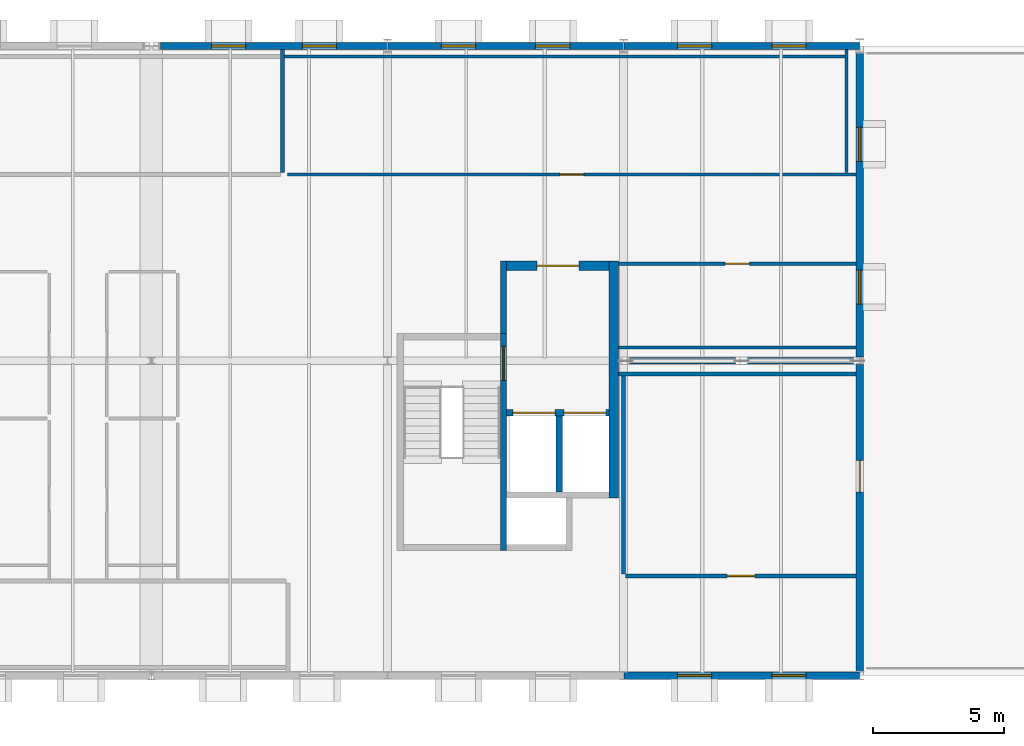
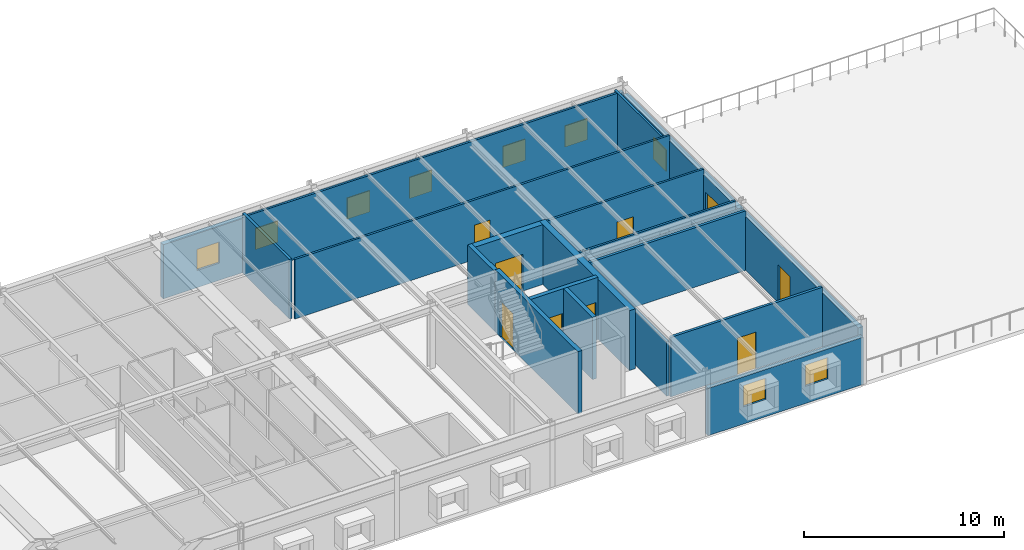
# One storey, part 14 of 17: 22 walls, 10 windows, 8 doors, 18 openings.
"""IFC4 building model written with IfcOpenShell, lengths in metres."""

from ifc_helpers import new_model, si_unit, direction, frame, frame_2d, origin, place, context, subcontext, project, spatial, rectangle, extrude, material, layer, layer_set, type_object, element, fill, save


model = new_model("IFC4")

# Units and contexts
model_context = context("Model", 3, precision=1e-05, world=origin(), true_north=direction((0.0, 1.0)))
body_context = subcontext(model_context, "Body", "Model", "MODEL_VIEW")
ifc_project = project(units=[si_unit("LENGTHUNIT", "METRE"), si_unit("AREAUNIT", "SQUARE_METRE"), si_unit("VOLUMEUNIT", "CUBIC_METRE"), si_unit("PLANEANGLEUNIT", "RADIAN"), si_unit("MASSUNIT", "GRAM", prefix="KILO")], contexts=[model_context])

# Site, building, storey
site_placement = place(None, origin())
site = spatial("IfcSite", under=ifc_project, at=site_placement, CompositionType="ELEMENT")
building_placement = place(site_placement, origin())
building = spatial("IfcBuilding", under=site, at=building_placement, Name="Montelvaro Courts of Justice", CompositionType="ELEMENT")
storey_placement = place(building_placement, frame((0.0, 0.0, 27.39990234375)))
storey = spatial("IfcBuildingStorey", under=building, at=storey_placement, Name="L06", CompositionType="ELEMENT", Elevation=27.39990234375)

# Wall
ifc_material_1 = material(Name="Gypsum board on metal stud")
ifc_layer_1 = layer(ifc_material_1, 0.14990234375)
ifc_layer_set_1 = layer_set([ifc_layer_1], Name="Gypsum board on metal stud")
wall_type_1 = type_object("IfcWallType", Name="ChambersPartition_150", PredefinedType="PARTITIONING", material=ifc_layer_set_1)
wall_1_placement = place(storey_placement, frame((104.0, 23.864990234375, 0.0), z_axis=(0.0, 0.0, 1.0), x_axis=(0.0, -1.0, 0.0)))
element("IfcWall", 1, at=wall_1_placement, inside=storey, type_object=wall_type_1, Name="Interior Partition IW-04 (L06)", PredefinedType="PARTITIONING", context=body_context, shape_type="SweptSolid", body=[
    extrude(rectangle(XDim=4.68505859375, YDim=0.14990234375, at=frame_2d((2.342529296875, 0.0))), origin(), (0.0, 0.0, 1.0), 3.64013671875),
])

# Wall, opening, door
wall_2_placement = place(storey_placement, frame((125.864990234375, 3.800048828125, 0.0), z_axis=(0.0, 0.0, 1.0), x_axis=(-1.0, 0.0, 0.0)))
wall_2 = element("IfcWall", 2, at=wall_2_placement, inside=storey, type_object=wall_type_1, Name="Interior Partition IW-04 (L06)", PredefinedType="PARTITIONING", context=body_context, shape_type="SweptSolid", body=[
    extrude(rectangle(XDim=8.784912109375, YDim=0.14990234375, at=frame_2d((4.392578125, 0.0))), origin(), (0.0, 0.0, 1.0), 3.64013671875),
])
opening_1_placement = place(wall_2_placement, frame((3.866943359375, 0.0, 0.0)))
opening_1 = element("IfcOpeningElement", 3, at=opening_1_placement, cuts=wall_2, Name="Opening D-L06-170", PredefinedType="OPENING", context=body_context, shape_type="SweptSolid", body=[
    extrude(rectangle(XDim=1.050048828125, YDim=2.25, at=frame_2d((0.52490234375, 1.125))), frame((0.0, 0.08984375, 0.0), z_axis=(0.0, -1.0, 0.0), x_axis=(1.0, 0.0, 0.0)), (0.0, 0.0, 1.0), 0.1796875),
])
ifc_material_2 = material(Name="Acoustic oak timber veneer", Category="wood")
door_type_1 = type_object("IfcDoorType", Name="ChamberDoor_105x225", OperationType="NOTDEFINED", PredefinedType="DOOR", material=ifc_material_2)
door_1_placement = place(opening_1_placement, origin())
door_1 = element("IfcDoor", 4, at=door_1_placement, inside=storey, type_object=door_type_1, Name="Interior Door D-L06-170 (East Sky Terrace Judicial Lounge L06)", OperationType="SINGLE_SWING_LEFT", OverallHeight=2.25, OverallWidth=1.050048828125, PredefinedType="DOOR", context=body_context, shape_type="SweptSolid", body=[
    extrude(rectangle(XDim=1.050048828125, YDim=2.25, at=frame_2d((0.52490234375, 1.125))), frame((0.0, 0.02490234375, 0.0), z_axis=(0.0, -1.0, 0.0), x_axis=(1.0, 0.0, 0.0)), (0.0, 0.0, 1.0), 0.050048828125),
])
fill(opening_1, door_1)

# Walls
wall_3_placement = place(storey_placement, frame((117.0, 3.8798828125, 0.0), z_axis=(0.0, 0.0, 1.0), x_axis=(0.0, 1.0, 0.0)))
element("IfcWall", 5, at=wall_3_placement, inside=storey, type_object=wall_type_1, Name="Interior Partition IW-04 (L06)", PredefinedType="PARTITIONING", context=body_context, shape_type="SweptSolid", body=[
    extrude(rectangle(XDim=7.5400390625, YDim=0.14990234375, at=frame_2d((3.77001953125, 0.0))), origin(), (0.0, 0.0, 1.0), 3.35498046875),
])
wall_4_placement = place(storey_placement, frame((116.794921875, 11.5, 0.0), z_axis=(0.0, 0.0, 1.0), x_axis=(1.0, 0.0, 0.0)))
element("IfcWall", 6, at=wall_4_placement, inside=storey, type_object=wall_type_1, Name="Interior Partition IW-04 (L06)", PredefinedType="PARTITIONING", context=body_context, shape_type="SweptSolid", body=[
    extrude(rectangle(XDim=9.070068359375, YDim=0.14990234375, at=frame_2d((4.53515625, 0.0))), origin(), (0.0, 0.0, 1.0), 3.64013671875),
])

# Wall, opening, door
ifc_material_3 = material(Name="Concrete C40/50", Category="concrete")
ifc_layer_2 = layer(ifc_material_3, 0.360107421875)
ifc_layer_set_2 = layer_set([ifc_layer_2], Name="Concrete C40/50")
wall_type_2 = type_object("IfcWallType", Name="CoreWall_360", PredefinedType="SHEAR", material=ifc_layer_set_2)
wall_5_placement = place(storey_placement, frame((112.5400390625, 15.6201171875, 0.0), z_axis=(0.0, 0.0, 1.0), x_axis=(1.0, 0.0, 0.0)))
wall_5 = element("IfcWall", 7, at=wall_5_placement, inside=storey, type_object=wall_type_2, Name="Core Shear Wall CW-01 K2-N (L06)", PredefinedType="SHEAR", context=body_context, shape_type="SweptSolid", body=[
    extrude(rectangle(XDim=3.89990234375, YDim=0.360107421875, at=frame_2d((1.949951171875, 0.0))), origin(), (0.0, 0.0, 1.0), 3.66015625),
])
opening_2_placement = place(wall_5_placement, frame((1.14990234375, 0.0, 0.0)))
opening_2 = element("IfcOpeningElement", 8, at=opening_2_placement, cuts=wall_5, Name="Opening DL-L06-K2", PredefinedType="OPENING", context=body_context, shape_type="SweptSolid", body=[
    extrude(rectangle(XDim=1.60009765625, YDim=2.25, at=frame_2d((0.800048828125, 1.125))), frame((0.0, 0.19482421875, 0.0), z_axis=(0.0, -1.0, 0.0), x_axis=(1.0, 0.0, 0.0)), (0.0, 0.0, 1.0), 0.389892578125),
])
ifc_material_4 = material(Name="Galvanised steel S355 security door", Category="steel")
door_type_2 = type_object("IfcDoorType", Name="LobbyFireDoor_160x225", OperationType="DOUBLE_DOOR_SINGLE_SWING", PredefinedType="DOOR", material=ifc_material_4)
door_2_placement = place(opening_2_placement, origin())
door_2 = element("IfcDoor", 9, at=door_2_placement, inside=storey, type_object=door_type_2, Name="Core Lobby Fire Door DL-L06-K2", OperationType="DOUBLE_DOOR_SINGLE_SWING", OverallHeight=2.25, OverallWidth=1.60009765625, PredefinedType="DOOR", context=body_context, shape_type="SweptSolid", body=[
    extrude(rectangle(XDim=1.60009765625, YDim=2.25, at=frame_2d((0.800048828125, 1.125))), frame((0.0, 0.02490234375, 0.0), z_axis=(0.0, -1.0, 0.0), x_axis=(1.0, 0.0, 0.0)), (0.0, 0.0, 1.0), 0.050048828125),
])
fill(opening_2, door_2)

# Wall
wall_6_placement = place(storey_placement, frame((116.6201171875, 6.760009765625, 0.0), z_axis=(0.0, 0.0, 1.0), x_axis=(0.0, 1.0, 0.0)))
element("IfcWall", 10, at=wall_6_placement, inside=storey, type_object=wall_type_2, Name="Core Shear Wall CW-01 K2-E (L06)", PredefinedType="SHEAR", context=body_context, shape_type="SweptSolid", body=[
    extrude(rectangle(XDim=9.0400390625, YDim=0.360107421875, at=frame_2d((4.52001953125, 0.0))), origin(), (0.0, 0.0, 1.0), 3.66015625),
])

# Wall, openings, windows
ifc_material_5 = material(Name="White mineral precast concrete C45/55", Category="concrete")
ifc_layer_3 = layer(ifc_material_5, 0.280029296875)
ifc_layer_set_3 = layer_set([ifc_layer_3], Name="White mineral precast concrete C45/55")
wall_type_3 = type_object("IfcWallType", Name="ExtWall_GFRC_280", PredefinedType="SOLIDWALL", material=ifc_layer_set_3)
wall_7_placement = place(storey_placement, frame((117.008056640625, 0.0, 0.0), z_axis=(0.0, 0.0, 1.0), x_axis=(1.0, 0.0, 0.0)))
wall_7 = element("IfcWall", 11, at=wall_7_placement, inside=storey, type_object=wall_type_3, Name="Exterior Facade Wall EW-01 (L06)", PredefinedType="SOLIDWALL", context=body_context, shape_type="SweptSolid", body=[
    extrude(rectangle(XDim=8.98388671875, YDim=0.280029296875, at=frame_2d((4.491943359375, 0.0))), origin(), (0.0, 0.0, 1.0), 2.885009765625),
])
opening_3_placement = place(wall_7_placement, frame((2.044921875, 0.0, 1.050048828125)))
opening_3 = element("IfcOpeningElement", 12, at=opening_3_placement, cuts=wall_7, Name="Opening WE-18", PredefinedType="OPENING", context=body_context, shape_type="SweptSolid", body=[
    extrude(rectangle(XDim=1.300048828125, YDim=1.300048828125, at=frame_2d((0.64990234375, 0.64990234375))), frame((0.0, 0.15478515625, 0.0), z_axis=(0.0, -1.0, 0.0), x_axis=(1.0, 0.0, 0.0)), (0.0, 0.0, 1.0), 0.309814453125),
])
opening_4_placement = place(wall_7_placement, frame((5.638916015625, 0.0, 1.050048828125)))
opening_4 = element("IfcOpeningElement", 13, at=opening_4_placement, cuts=wall_7, Name="Opening WE-18", PredefinedType="OPENING", context=body_context, shape_type="SweptSolid", body=[
    extrude(rectangle(XDim=1.300048828125, YDim=1.300048828125, at=frame_2d((0.64990234375, 0.64990234375))), frame((0.0, 0.15478515625, 0.0), z_axis=(0.0, -1.0, 0.0), x_axis=(1.0, 0.0, 0.0)), (0.0, 0.0, 1.0), 0.309814453125),
])
ifc_material_6 = material(Name="Low-E solar control double glazing", Category="glass")
window_type = type_object("IfcWindowType", Name="Win_Sq_130x130", PartitioningType="SINGLE_PANEL", PredefinedType="WINDOW", material=ifc_material_6)
window_1_placement = place(opening_3_placement, origin())
window_1 = element("IfcWindow", 14, at=window_1_placement, inside=storey, type_object=window_type, Name="Window W-L06-316", OverallHeight=1.300048828125, OverallWidth=1.300048828125, PartitioningType="SINGLE_PANEL", PredefinedType="WINDOW", context=body_context, shape_type="SweptSolid", body=[
    extrude(rectangle(XDim=1.300048828125, YDim=1.300048828125, at=frame_2d((0.64990234375, 0.64990234375))), frame((0.0, 0.030029296875, 0.0), z_axis=(0.0, -1.0, 0.0), x_axis=(1.0, 0.0, 0.0)), (0.0, 0.0, 1.0), 0.06005859375),
])
fill(opening_3, window_1)
window_2_placement = place(opening_4_placement, origin())
window_2 = element("IfcWindow", 15, at=window_2_placement, inside=storey, type_object=window_type, Name="Window W-L06-317", OverallHeight=1.300048828125, OverallWidth=1.300048828125, PartitioningType="SINGLE_PANEL", PredefinedType="WINDOW", context=body_context, shape_type="SweptSolid", body=[
    extrude(rectangle(XDim=1.300048828125, YDim=1.300048828125, at=frame_2d((0.64990234375, 0.64990234375))), frame((0.0, 0.030029296875, 0.0), z_axis=(0.0, -1.0, 0.0), x_axis=(1.0, 0.0, 0.0)), (0.0, 0.0, 1.0), 0.06005859375),
])
fill(opening_4, window_2)

# Wall, opening, door
wall_8_placement = place(storey_placement, frame((126.0, 0.157958984375, 0.0), z_axis=(0.0, 0.0, 1.0), x_axis=(0.0, 1.0, 0.0)))
wall_8 = element("IfcWall", 16, at=wall_8_placement, inside=storey, type_object=wall_type_3, Name="Exterior Facade Wall EW-01 (L06)", PredefinedType="SOLIDWALL", context=body_context, shape_type="SweptSolid", body=[
    extrude(rectangle(XDim=11.7041015625, YDim=0.280029296875, at=frame_2d((5.85205078125, 0.0))), origin(), (0.0, 0.0, 1.0), 3.30517578125),
])
opening_5_placement = place(wall_8_placement, frame((6.842041015625, 0.0, 0.0)))
opening_5 = element("IfcOpeningElement", 17, at=opening_5_placement, cuts=wall_8, Name="Opening DT-L06-01", PredefinedType="OPENING", context=body_context, shape_type="SweptSolid", body=[
    extrude(rectangle(XDim=1.199951171875, YDim=2.300048828125, at=frame_2d((0.60009765625, 1.14990234375))), frame((0.0, 0.15478515625, 0.0), z_axis=(0.0, -1.0, 0.0), x_axis=(1.0, 0.0, 0.0)), (0.0, 0.0, 1.0), 0.309814453125),
])
ifc_material_7 = material(Name="Anodised aluminium and laminated safety glass", Category="aluminium")
door_type_3 = type_object("IfcDoorType", Name="ExtDoor_Ter_120x230", OperationType="NOTDEFINED", PredefinedType="DOOR", material=ifc_material_7)
door_3_placement = place(opening_5_placement, frame((1.199951171875, 0.0, 0.0), z_axis=(0.0, 0.0, 1.0), x_axis=(-1.0, 0.0, 0.0)))
door_3 = element("IfcDoor", 18, at=door_3_placement, inside=storey, type_object=door_type_3, Name="Terrace Access Door DT-L06-01", OperationType="SINGLE_SWING_LEFT", OverallHeight=2.300048828125, OverallWidth=1.199951171875, PredefinedType="DOOR", context=body_context, shape_type="SweptSolid", body=[
    extrude(rectangle(XDim=1.199951171875, YDim=2.300048828125, at=frame_2d((0.60009765625, 1.14990234375))), frame((0.0, 0.02490234375, 0.0), z_axis=(0.0, -1.0, 0.0), x_axis=(1.0, 0.0, 0.0)), (0.0, 0.0, 1.0), 0.050048828125),
])
fill(opening_5, door_3)

# Wall, openings, windows
wall_9_placement = place(storey_placement, frame((126.0, 12.137939453125, 0.0), z_axis=(0.0, 0.0, 1.0), x_axis=(0.0, 1.0, 0.0)))
wall_9 = element("IfcWall", 19, at=wall_9_placement, inside=storey, type_object=wall_type_3, Name="Exterior Facade Wall EW-01 (L06)", PredefinedType="SOLIDWALL", context=body_context, shape_type="SweptSolid", body=[
    extrude(rectangle(XDim=11.589111328125, YDim=0.280029296875, at=frame_2d((5.79443359375, 0.0))), origin(), (0.0, 0.0, 1.0), 3.30517578125),
])
opening_6_placement = place(wall_9_placement, frame((2.02197265625, 0.0, 1.050048828125)))
opening_6 = element("IfcOpeningElement", 20, at=opening_6_placement, cuts=wall_9, Name="Opening WE-18", PredefinedType="OPENING", context=body_context, shape_type="SweptSolid", body=[
    extrude(rectangle(XDim=1.300048828125, YDim=1.300048828125, at=frame_2d((0.64990234375, 0.64990234375))), frame((0.0, 0.15478515625, 0.0), z_axis=(0.0, -1.0, 0.0), x_axis=(1.0, 0.0, 0.0)), (0.0, 0.0, 1.0), 0.309814453125),
])
opening_7_placement = place(wall_9_placement, frame((7.4619140625, 0.0, 1.050048828125)))
opening_7 = element("IfcOpeningElement", 21, at=opening_7_placement, cuts=wall_9, Name="Opening WE-18", PredefinedType="OPENING", context=body_context, shape_type="SweptSolid", body=[
    extrude(rectangle(XDim=1.300048828125, YDim=1.300048828125, at=frame_2d((0.64990234375, 0.64990234375))), frame((0.0, 0.15478515625, 0.0), z_axis=(0.0, -1.0, 0.0), x_axis=(1.0, 0.0, 0.0)), (0.0, 0.0, 1.0), 0.309814453125),
])
window_3_placement = place(opening_6_placement, origin())
window_3 = element("IfcWindow", 22, at=window_3_placement, inside=storey, type_object=window_type, Name="Window W-L06-318", OverallHeight=1.300048828125, OverallWidth=1.300048828125, PartitioningType="SINGLE_PANEL", PredefinedType="WINDOW", context=body_context, shape_type="SweptSolid", body=[
    extrude(rectangle(XDim=1.300048828125, YDim=1.300048828125, at=frame_2d((0.64990234375, 0.64990234375))), frame((0.0, 0.030029296875, 0.0), z_axis=(0.0, -1.0, 0.0), x_axis=(1.0, 0.0, 0.0)), (0.0, 0.0, 1.0), 0.06005859375),
])
fill(opening_6, window_3)
window_4_placement = place(opening_7_placement, origin())
window_4 = element("IfcWindow", 23, at=window_4_placement, inside=storey, type_object=window_type, Name="Window W-L06-319", OverallHeight=1.300048828125, OverallWidth=1.300048828125, PartitioningType="SINGLE_PANEL", PredefinedType="WINDOW", context=body_context, shape_type="SweptSolid", body=[
    extrude(rectangle(XDim=1.300048828125, YDim=1.300048828125, at=frame_2d((0.64990234375, 0.64990234375))), frame((0.0, 0.030029296875, 0.0), z_axis=(0.0, -1.0, 0.0), x_axis=(1.0, 0.0, 0.0)), (0.0, 0.0, 1.0), 0.06005859375),
])
fill(opening_7, window_4)

wall_10_placement = place(storey_placement, frame((125.991943359375, 24.0, 0.0), z_axis=(0.0, 0.0, 1.0), x_axis=(-1.0, 0.0, 0.0)))
wall_10 = element("IfcWall", 24, at=wall_10_placement, inside=storey, type_object=wall_type_3, Name="Exterior Facade Wall EW-01 (L06)", PredefinedType="SOLIDWALL", context=body_context, shape_type="SweptSolid", body=[
    extrude(rectangle(XDim=8.98388671875, YDim=0.280029296875, at=frame_2d((4.491943359375, 0.0))), origin(), (0.0, 0.0, 1.0), 3.30517578125),
])
opening_8_placement = place(wall_10_placement, frame((2.044921875, 0.0, 1.050048828125)))
opening_8 = element("IfcOpeningElement", 25, at=opening_8_placement, cuts=wall_10, Name="Opening WE-18", PredefinedType="OPENING", context=body_context, shape_type="SweptSolid", body=[
    extrude(rectangle(XDim=1.300048828125, YDim=1.300048828125, at=frame_2d((0.64990234375, 0.64990234375))), frame((0.0, 0.15478515625, 0.0), z_axis=(0.0, -1.0, 0.0), x_axis=(1.0, 0.0, 0.0)), (0.0, 0.0, 1.0), 0.309814453125),
])
opening_9_placement = place(wall_10_placement, frame((5.638916015625, 0.0, 1.050048828125)))
opening_9 = element("IfcOpeningElement", 26, at=opening_9_placement, cuts=wall_10, Name="Opening WE-18", PredefinedType="OPENING", context=body_context, shape_type="SweptSolid", body=[
    extrude(rectangle(XDim=1.300048828125, YDim=1.300048828125, at=frame_2d((0.64990234375, 0.64990234375))), frame((0.0, 0.15478515625, 0.0), z_axis=(0.0, -1.0, 0.0), x_axis=(1.0, 0.0, 0.0)), (0.0, 0.0, 1.0), 0.309814453125),
])
window_5_placement = place(opening_8_placement, origin())
window_5 = element("IfcWindow", 27, at=window_5_placement, inside=storey, type_object=window_type, Name="Window W-L06-320", OverallHeight=1.300048828125, OverallWidth=1.300048828125, PartitioningType="SINGLE_PANEL", PredefinedType="WINDOW", context=body_context, shape_type="SweptSolid", body=[
    extrude(rectangle(XDim=1.300048828125, YDim=1.300048828125, at=frame_2d((0.64990234375, 0.64990234375))), frame((0.0, 0.030029296875, 0.0), z_axis=(0.0, -1.0, 0.0), x_axis=(1.0, 0.0, 0.0)), (0.0, 0.0, 1.0), 0.06005859375),
])
fill(opening_8, window_5)
window_6_placement = place(opening_9_placement, origin())
window_6 = element("IfcWindow", 28, at=window_6_placement, inside=storey, type_object=window_type, Name="Window W-L06-321", OverallHeight=1.300048828125, OverallWidth=1.300048828125, PartitioningType="SINGLE_PANEL", PredefinedType="WINDOW", context=body_context, shape_type="SweptSolid", body=[
    extrude(rectangle(XDim=1.300048828125, YDim=1.300048828125, at=frame_2d((0.64990234375, 0.64990234375))), frame((0.0, 0.030029296875, 0.0), z_axis=(0.0, -1.0, 0.0), x_axis=(1.0, 0.0, 0.0)), (0.0, 0.0, 1.0), 0.06005859375),
])
fill(opening_9, window_6)

wall_11_placement = place(storey_placement, frame((116.991943359375, 24.0, 0.0), z_axis=(0.0, 0.0, 1.0), x_axis=(-1.0, 0.0, 0.0)))
wall_11 = element("IfcWall", 29, at=wall_11_placement, inside=storey, type_object=wall_type_3, Name="Exterior Facade Wall EW-01 (L06)", PredefinedType="SOLIDWALL", context=body_context, shape_type="SweptSolid", body=[
    extrude(rectangle(XDim=8.98388671875, YDim=0.280029296875, at=frame_2d((4.491943359375, 0.0))), origin(), (0.0, 0.0, 1.0), 3.30517578125),
])
opening_10_placement = place(wall_11_placement, frame((2.044921875, 0.0, 1.050048828125)))
opening_10 = element("IfcOpeningElement", 30, at=opening_10_placement, cuts=wall_11, Name="Opening WE-18", PredefinedType="OPENING", context=body_context, shape_type="SweptSolid", body=[
    extrude(rectangle(XDim=1.300048828125, YDim=1.300048828125, at=frame_2d((0.64990234375, 0.64990234375))), frame((0.0, 0.15478515625, 0.0), z_axis=(0.0, -1.0, 0.0), x_axis=(1.0, 0.0, 0.0)), (0.0, 0.0, 1.0), 0.309814453125),
])
opening_11_placement = place(wall_11_placement, frame((5.638916015625, 0.0, 1.050048828125)))
opening_11 = element("IfcOpeningElement", 31, at=opening_11_placement, cuts=wall_11, Name="Opening WE-18", PredefinedType="OPENING", context=body_context, shape_type="SweptSolid", body=[
    extrude(rectangle(XDim=1.300048828125, YDim=1.300048828125, at=frame_2d((0.64990234375, 0.64990234375))), frame((0.0, 0.15478515625, 0.0), z_axis=(0.0, -1.0, 0.0), x_axis=(1.0, 0.0, 0.0)), (0.0, 0.0, 1.0), 0.309814453125),
])
window_7_placement = place(opening_10_placement, origin())
window_7 = element("IfcWindow", 32, at=window_7_placement, inside=storey, type_object=window_type, Name="Window W-L06-322", OverallHeight=1.300048828125, OverallWidth=1.300048828125, PartitioningType="SINGLE_PANEL", PredefinedType="WINDOW", context=body_context, shape_type="SweptSolid", body=[
    extrude(rectangle(XDim=1.300048828125, YDim=1.300048828125, at=frame_2d((0.64990234375, 0.64990234375))), frame((0.0, 0.030029296875, 0.0), z_axis=(0.0, -1.0, 0.0), x_axis=(1.0, 0.0, 0.0)), (0.0, 0.0, 1.0), 0.06005859375),
])
fill(opening_10, window_7)
window_8_placement = place(opening_11_placement, origin())
window_8 = element("IfcWindow", 33, at=window_8_placement, inside=storey, type_object=window_type, Name="Window W-L06-323", OverallHeight=1.300048828125, OverallWidth=1.300048828125, PartitioningType="SINGLE_PANEL", PredefinedType="WINDOW", context=body_context, shape_type="SweptSolid", body=[
    extrude(rectangle(XDim=1.300048828125, YDim=1.300048828125, at=frame_2d((0.64990234375, 0.64990234375))), frame((0.0, 0.030029296875, 0.0), z_axis=(0.0, -1.0, 0.0), x_axis=(1.0, 0.0, 0.0)), (0.0, 0.0, 1.0), 0.06005859375),
])
fill(opening_11, window_8)

wall_12_placement = place(storey_placement, frame((107.991943359375, 24.0, 0.0), z_axis=(0.0, 0.0, 1.0), x_axis=(-1.0, 0.0, 0.0)))
wall_12 = element("IfcWall", 34, at=wall_12_placement, inside=storey, type_object=wall_type_3, Name="Exterior Facade Wall EW-01 (L06)", PredefinedType="SOLIDWALL", context=body_context, shape_type="SweptSolid", body=[
    extrude(rectangle(XDim=8.64404296875, YDim=0.280029296875, at=frame_2d((4.322021484375, 0.0))), origin(), (0.0, 0.0, 1.0), 3.30517578125),
])
opening_12_placement = place(wall_12_placement, frame((1.943115234375, 0.0, 1.050048828125)))
opening_12 = element("IfcOpeningElement", 35, at=opening_12_placement, cuts=wall_12, Name="Opening WE-18", PredefinedType="OPENING", context=body_context, shape_type="SweptSolid", body=[
    extrude(rectangle(XDim=1.300048828125, YDim=1.300048828125, at=frame_2d((0.64990234375, 0.64990234375))), frame((0.0, 0.15478515625, 0.0), z_axis=(0.0, -1.0, 0.0), x_axis=(1.0, 0.0, 0.0)), (0.0, 0.0, 1.0), 0.309814453125),
])
opening_13_placement = place(wall_12_placement, frame((5.40087890625, 0.0, 1.050048828125)))
opening_13 = element("IfcOpeningElement", 36, at=opening_13_placement, cuts=wall_12, Name="Opening WE-18", PredefinedType="OPENING", context=body_context, shape_type="SweptSolid", body=[
    extrude(rectangle(XDim=1.300048828125, YDim=1.300048828125, at=frame_2d((0.64990234375, 0.64990234375))), frame((0.0, 0.15478515625, 0.0), z_axis=(0.0, -1.0, 0.0), x_axis=(1.0, 0.0, 0.0)), (0.0, 0.0, 1.0), 0.309814453125),
])
window_9_placement = place(opening_12_placement, origin())
window_9 = element("IfcWindow", 37, at=window_9_placement, inside=storey, type_object=window_type, Name="Window W-L06-324", OverallHeight=1.300048828125, OverallWidth=1.300048828125, PartitioningType="SINGLE_PANEL", PredefinedType="WINDOW", context=body_context, shape_type="SweptSolid", body=[
    extrude(rectangle(XDim=1.300048828125, YDim=1.300048828125, at=frame_2d((0.64990234375, 0.64990234375))), frame((0.0, 0.030029296875, 0.0), z_axis=(0.0, -1.0, 0.0), x_axis=(1.0, 0.0, 0.0)), (0.0, 0.0, 1.0), 0.06005859375),
])
fill(opening_12, window_9)
window_10_placement = place(opening_13_placement, origin())
window_10 = element("IfcWindow", 38, at=window_10_placement, inside=storey, type_object=window_type, Name="Window W-L06-325", OverallHeight=1.300048828125, OverallWidth=1.300048828125, PartitioningType="SINGLE_PANEL", PredefinedType="WINDOW", context=body_context, shape_type="SweptSolid", body=[
    extrude(rectangle(XDim=1.300048828125, YDim=1.300048828125, at=frame_2d((0.64990234375, 0.64990234375))), frame((0.0, 0.030029296875, 0.0), z_axis=(0.0, -1.0, 0.0), x_axis=(1.0, 0.0, 0.0)), (0.0, 0.0, 1.0), 0.06005859375),
])
fill(opening_13, window_10)

# Wall
ifc_layer_4 = layer(ifc_material_1, 0.1201171875)
ifc_layer_set_4 = layer_set([ifc_layer_4], Name="Gypsum board on metal stud")
wall_type_4 = type_object("IfcWallType", Name="OfficePartition_120", PredefinedType="PARTITIONING", material=ifc_layer_set_4)
wall_13_placement = place(storey_placement, frame((125.5, 23.864990234375, 0.0), z_axis=(0.0, 0.0, 1.0), x_axis=(0.0, -1.0, 0.0)))
element("IfcWall", 39, at=wall_13_placement, inside=storey, type_object=wall_type_4, Name="Interior Partition IW-05 (L06)", PredefinedType="PARTITIONING", context=body_context, shape_type="SweptSolid", body=[
    extrude(rectangle(XDim=4.68505859375, YDim=0.1201171875, at=frame_2d((2.342529296875, 0.0))), origin(), (0.0, 0.0, 1.0), 3.64013671875),
])

# Wall, opening, door
wall_14_placement = place(storey_placement, frame((125.864990234375, 19.10009765625, 0.0), z_axis=(0.0, 0.0, 1.0), x_axis=(-1.0, 0.0, 0.0)))
wall_14 = element("IfcWall", 40, at=wall_14_placement, inside=storey, type_object=wall_type_4, Name="Interior Partition IW-05 (L06)", PredefinedType="PARTITIONING", context=body_context, shape_type="SweptSolid", body=[
    extrude(rectangle(XDim=21.68505859375, YDim=0.1201171875, at=frame_2d((10.842529296875, 0.0))), origin(), (0.0, 0.0, 1.0), 3.64013671875),
])
opening_14_placement = place(wall_14_placement, frame((10.39208984375, 0.0, 0.0)))
opening_14 = element("IfcOpeningElement", 41, at=opening_14_placement, cuts=wall_14, Name="Opening D-L06-169", PredefinedType="OPENING", context=body_context, shape_type="SweptSolid", body=[
    extrude(rectangle(XDim=0.89990234375, YDim=2.10009765625, at=frame_2d((0.449951171875, 1.050048828125))), frame((0.0, 0.074951171875, 0.0), z_axis=(0.0, -1.0, 0.0), x_axis=(1.0, 0.0, 0.0)), (0.0, 0.0, 1.0), 0.14990234375),
])
door_type_4 = type_object("IfcDoorType", Name="OfficeDoor_090x210", OperationType="NOTDEFINED", PredefinedType="DOOR", material=ifc_material_2)
door_4_placement = place(opening_14_placement, frame((0.89990234375, 0.0, 0.0), z_axis=(0.0, 0.0, 1.0), x_axis=(-1.0, 0.0, 0.0)))
door_4 = element("IfcDoor", 42, at=door_4_placement, inside=storey, type_object=door_type_4, Name="Interior Door D-L06-169 (Penal Clerks' Research Office L06)", OperationType="SINGLE_SWING_RIGHT", OverallHeight=2.10009765625, OverallWidth=0.89990234375, PredefinedType="DOOR", context=body_context, shape_type="SweptSolid", body=[
    extrude(rectangle(XDim=0.89990234375, YDim=2.10009765625, at=frame_2d((0.449951171875, 1.050048828125))), frame((0.0, 0.02490234375, 0.0), z_axis=(0.0, -1.0, 0.0), x_axis=(1.0, 0.0, 0.0)), (0.0, 0.0, 1.0), 0.050048828125),
])
fill(opening_14, door_4)

# Walls
wall_15_placement = place(storey_placement, frame((104.070068359375, 23.60009765625, 0.0), z_axis=(0.0, 0.0, 1.0), x_axis=(1.0, 0.0, 0.0)))
element("IfcWall", 43, at=wall_15_placement, inside=storey, type_object=wall_type_4, Name="Interior Partition IW-05 (L06)", PredefinedType="PARTITIONING", context=body_context, shape_type="SweptSolid", body=[
    extrude(rectangle(XDim=21.375, YDim=0.1201171875, at=frame_2d((10.6875, 0.0))), origin(), (0.0, 0.0, 1.0), 3.64013671875),
])
wall_16_placement = place(storey_placement, frame((125.864990234375, 12.5, 0.0), z_axis=(0.0, 0.0, 1.0), x_axis=(-1.0, 0.0, 0.0)))
element("IfcWall", 44, at=wall_16_placement, inside=storey, type_object=wall_type_4, Name="Interior Partition IW-05 (L06)", PredefinedType="PARTITIONING", context=body_context, shape_type="SweptSolid", body=[
    extrude(rectangle(XDim=9.070068359375, YDim=0.1201171875, at=frame_2d((4.53515625, 0.0))), origin(), (0.0, 0.0, 1.0), 3.64013671875),
])

# Wall, opening, door
wall_17_placement = place(storey_placement, frame((116.794921875, 15.699951171875, 0.0), z_axis=(0.0, 0.0, 1.0), x_axis=(1.0, 0.0, 0.0)))
wall_17 = element("IfcWall", 45, at=wall_17_placement, inside=storey, type_object=wall_type_4, Name="Interior Partition IW-05 (L06)", PredefinedType="PARTITIONING", context=body_context, shape_type="SweptSolid", body=[
    extrude(rectangle(XDim=9.070068359375, YDim=0.1201171875, at=frame_2d((4.53515625, 0.0))), origin(), (0.0, 0.0, 1.0), 3.64013671875),
])
opening_15_placement = place(wall_17_placement, frame((4.06005859375, 0.0, 0.0)))
opening_15 = element("IfcOpeningElement", 46, at=opening_15_placement, cuts=wall_17, Name="Opening D-L06-171", PredefinedType="OPENING", context=body_context, shape_type="SweptSolid", body=[
    extrude(rectangle(XDim=0.949951171875, YDim=2.14990234375, at=frame_2d((0.47509765625, 1.074951171875))), frame((0.0, 0.074951171875, 0.0), z_axis=(0.0, -1.0, 0.0), x_axis=(1.0, 0.0, 0.0)), (0.0, 0.0, 1.0), 0.14990234375),
])
door_type_5 = type_object("IfcDoorType", Name="OfficeDoor_095x215", OperationType="NOTDEFINED", PredefinedType="DOOR", material=ifc_material_2)
door_5_placement = place(opening_15_placement, frame((0.949951171875, 0.0, 0.0), z_axis=(0.0, 0.0, 1.0), x_axis=(-1.0, 0.0, 0.0)))
door_5 = element("IfcDoor", 47, at=door_5_placement, inside=storey, type_object=door_type_5, Name="Interior Door D-L06-171 (Sky Terrace Foyer L06)", OperationType="SINGLE_SWING_RIGHT", OverallHeight=2.14990234375, OverallWidth=0.949951171875, PredefinedType="DOOR", context=body_context, shape_type="SweptSolid", body=[
    extrude(rectangle(XDim=0.949951171875, YDim=2.14990234375, at=frame_2d((0.47509765625, 1.074951171875))), frame((0.0, 0.02490234375, 0.0), z_axis=(0.0, -1.0, 0.0), x_axis=(1.0, 0.0, 0.0)), (0.0, 0.0, 1.0), 0.050048828125),
])
fill(opening_15, door_5)

ifc_material_8 = material(Name="Concrete C35/45", Category="concrete")
ifc_layer_5 = layer(ifc_material_8, 0.239990234375)
ifc_layer_set_5 = layer_set([ifc_layer_5], Name="Concrete C35/45")
wall_type_5 = type_object("IfcWallType", Name="ShaftWall_240", PredefinedType="SHEAR", material=ifc_layer_set_5)
wall_18_placement = place(storey_placement, frame((112.419921875, 4.760009765625, 0.0), z_axis=(0.0, 0.0, 1.0), x_axis=(0.0, 1.0, 0.0)))
wall_18 = element("IfcWall", 48, at=wall_18_placement, inside=storey, type_object=wall_type_5, Name="Protected Stair Structural Wall ST-K2-E (L06)", PredefinedType="SHEAR", context=body_context, shape_type="SweptSolid", body=[
    extrude(rectangle(XDim=8.280029296875, YDim=0.239990234375, at=frame_2d((4.14013671875, 0.0))), origin(), (0.0, 0.0, 1.0), 3.81005859375),
])
opening_16_placement = place(wall_18_placement, frame((6.489990234375, 0.0, 0.0)))
opening_16 = element("IfcOpeningElement", 49, at=opening_16_placement, cuts=wall_18, Name="Opening DS-L06-K2", PredefinedType="OPENING", context=body_context, shape_type="SweptSolid", body=[
    extrude(rectangle(XDim=1.300048828125, YDim=2.199951171875, at=frame_2d((0.64990234375, 1.10009765625))), frame((0.0, 0.134765625, 0.0), z_axis=(0.0, -1.0, 0.0), x_axis=(1.0, 0.0, 0.0)), (0.0, 0.0, 1.0), 0.269775390625),
])
door_type_6 = type_object("IfcDoorType", Name="StairFireDoor_130x220", OperationType="NOTDEFINED", PredefinedType="DOOR", material=ifc_material_4)
door_6_placement = place(opening_16_placement, frame((1.300048828125, 0.0, 0.0), z_axis=(0.0, 0.0, 1.0), x_axis=(-1.0, 0.0, 0.0)))
door_6 = element("IfcDoor", 50, at=door_6_placement, inside=storey, type_object=door_type_6, Name="Protected Stair Fire Door DS-L06-K2", OperationType="SINGLE_SWING_RIGHT", OverallHeight=2.199951171875, OverallWidth=1.300048828125, PredefinedType="DOOR", context=body_context, shape_type="SweptSolid", body=[
    extrude(rectangle(XDim=1.300048828125, YDim=2.199951171875, at=frame_2d((0.64990234375, 1.10009765625))), frame((0.0, 0.02490234375, 0.0), z_axis=(0.0, -1.0, 0.0), x_axis=(1.0, 0.0, 0.0)), (0.0, 0.0, 1.0), 0.050048828125),
])
fill(opening_16, door_6)

# Wall
wall_19_placement = place(storey_placement, frame((112.419921875, 13.0400390625, 0.0), z_axis=(0.0, 0.0, 1.0), x_axis=(0.0, 1.0, 0.0)))
element("IfcWall", 51, at=wall_19_placement, inside=storey, type_object=wall_type_5, Name="Core Lobby Structural Wall K2-W (L06)", PredefinedType="SHEAR", context=body_context, shape_type="SweptSolid", body=[
    extrude(rectangle(XDim=2.760009765625, YDim=0.239990234375, at=frame_2d((1.3798828125, 0.0))), origin(), (0.0, 0.0, 1.0), 3.66015625),
])

# Wall, openings, doors
wall_20_placement = place(storey_placement, frame((112.5400390625, 10.02001953125, 0.0), z_axis=(0.0, 0.0, 1.0), x_axis=(1.0, 0.0, 0.0)))
wall_20 = element("IfcWall", 52, at=wall_20_placement, inside=storey, type_object=wall_type_5, Name="Lift Shaft Bank Wall K2 (L06)", PredefinedType="SHEAR", context=body_context, shape_type="SweptSolid", body=[
    extrude(rectangle(XDim=3.89990234375, YDim=0.239990234375, at=frame_2d((1.949951171875, 0.0))), origin(), (0.0, 0.0, 1.0), 3.81005859375),
])
opening_17_placement = place(wall_20_placement, frame((0.235107421875, 0.0, 0.0)))
opening_17 = element("IfcOpeningElement", 53, at=opening_17_placement, cuts=wall_20, Name="Opening LD-LF-02-L06", PredefinedType="OPENING", context=body_context, shape_type="SweptSolid", body=[
    extrude(rectangle(XDim=1.60009765625, YDim=2.300048828125, at=frame_2d((0.800048828125, 1.14990234375))), frame((0.0, 0.134765625, 0.0), z_axis=(0.0, -1.0, 0.0), x_axis=(1.0, 0.0, 0.0)), (0.0, 0.0, 1.0), 0.269775390625),
])
opening_18_placement = place(wall_20_placement, frame((2.18505859375, 0.0, 0.0)))
opening_18 = element("IfcOpeningElement", 54, at=opening_18_placement, cuts=wall_20, Name="Opening LD-LJ-02-L06", PredefinedType="OPENING", context=body_context, shape_type="SweptSolid", body=[
    extrude(rectangle(XDim=1.60009765625, YDim=2.300048828125, at=frame_2d((0.800048828125, 1.14990234375))), frame((0.0, 0.134765625, 0.0), z_axis=(0.0, -1.0, 0.0), x_axis=(1.0, 0.0, 0.0)), (0.0, 0.0, 1.0), 0.269775390625),
])
door_type_7 = type_object("IfcDoorType", Name="LiftDoor_160x230", OperationType="DOUBLE_DOOR_SLIDING", PredefinedType="DOOR", material=ifc_material_4)
door_7_placement = place(opening_17_placement, origin())
door_7 = element("IfcDoor", 55, at=door_7_placement, inside=storey, type_object=door_type_7, Name="Lift Landing Sliding Door LD-LF-02-L06", OperationType="DOUBLE_DOOR_SLIDING", OverallHeight=2.300048828125, OverallWidth=1.60009765625, PredefinedType="DOOR", context=body_context, shape_type="SweptSolid", body=[
    extrude(rectangle(XDim=1.60009765625, YDim=2.300048828125, at=frame_2d((0.800048828125, 1.14990234375))), frame((0.0, 0.02490234375, 0.0), z_axis=(0.0, -1.0, 0.0), x_axis=(1.0, 0.0, 0.0)), (0.0, 0.0, 1.0), 0.050048828125),
])
fill(opening_17, door_7)
door_8_placement = place(opening_18_placement, origin())
door_8 = element("IfcDoor", 56, at=door_8_placement, inside=storey, type_object=door_type_7, Name="Lift Landing Sliding Door LD-LJ-02-L06", OperationType="DOUBLE_DOOR_SLIDING", OverallHeight=2.300048828125, OverallWidth=1.60009765625, PredefinedType="DOOR", context=body_context, shape_type="SweptSolid", body=[
    extrude(rectangle(XDim=1.60009765625, YDim=2.300048828125, at=frame_2d((0.800048828125, 1.14990234375))), frame((0.0, 0.02490234375, 0.0), z_axis=(0.0, -1.0, 0.0), x_axis=(1.0, 0.0, 0.0)), (0.0, 0.0, 1.0), 0.050048828125),
])
fill(opening_18, door_8)

# Walls
wall_21_placement = place(storey_placement, frame((114.550048828125, 7.0, 0.0), z_axis=(0.0, 0.0, 1.0), x_axis=(0.0, 1.0, 0.0)))
element("IfcWall", 57, at=wall_21_placement, inside=storey, type_object=wall_type_5, Name="Lift Shaft Divider Wall K2-LFD1 (L06)", PredefinedType="SHEAR", context=body_context, shape_type="SweptSolid", body=[
    extrude(rectangle(XDim=2.89990234375, YDim=0.239990234375, at=frame_2d((1.449951171875, 0.0))), origin(), (0.0, 0.0, 1.0), 3.81005859375),
])
wall_22_placement = place(storey_placement, frame((117.157958984375, 12.0, 0.0), z_axis=(0.0, 0.0, 1.0), x_axis=(1.0, 0.0, 0.0)))
element("IfcWall", 58, at=wall_22_placement, inside=storey, type_object=wall_type_5, Name="Enclosed Braced Frame Structural Wall CBF2 (L06)", PredefinedType="SHEAR", context=body_context, shape_type="SweptSolid", body=[
    extrude(rectangle(XDim=8.833984375, YDim=0.239990234375, at=frame_2d((4.4169921875, 0.0))), origin(), (0.0, 0.0, 1.0), 3.35498046875),
])

save(model, "model.ifc")
